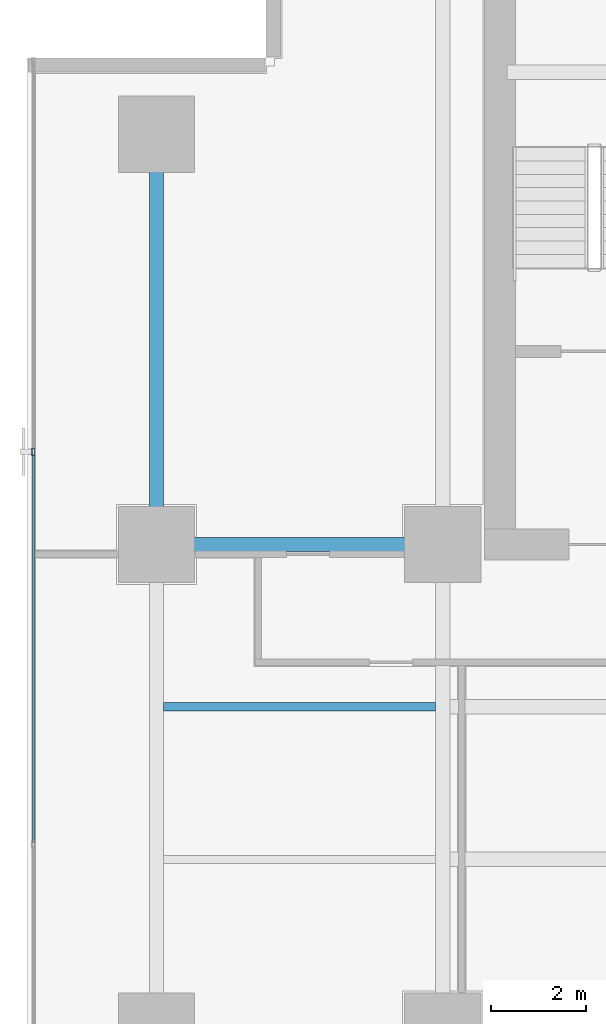
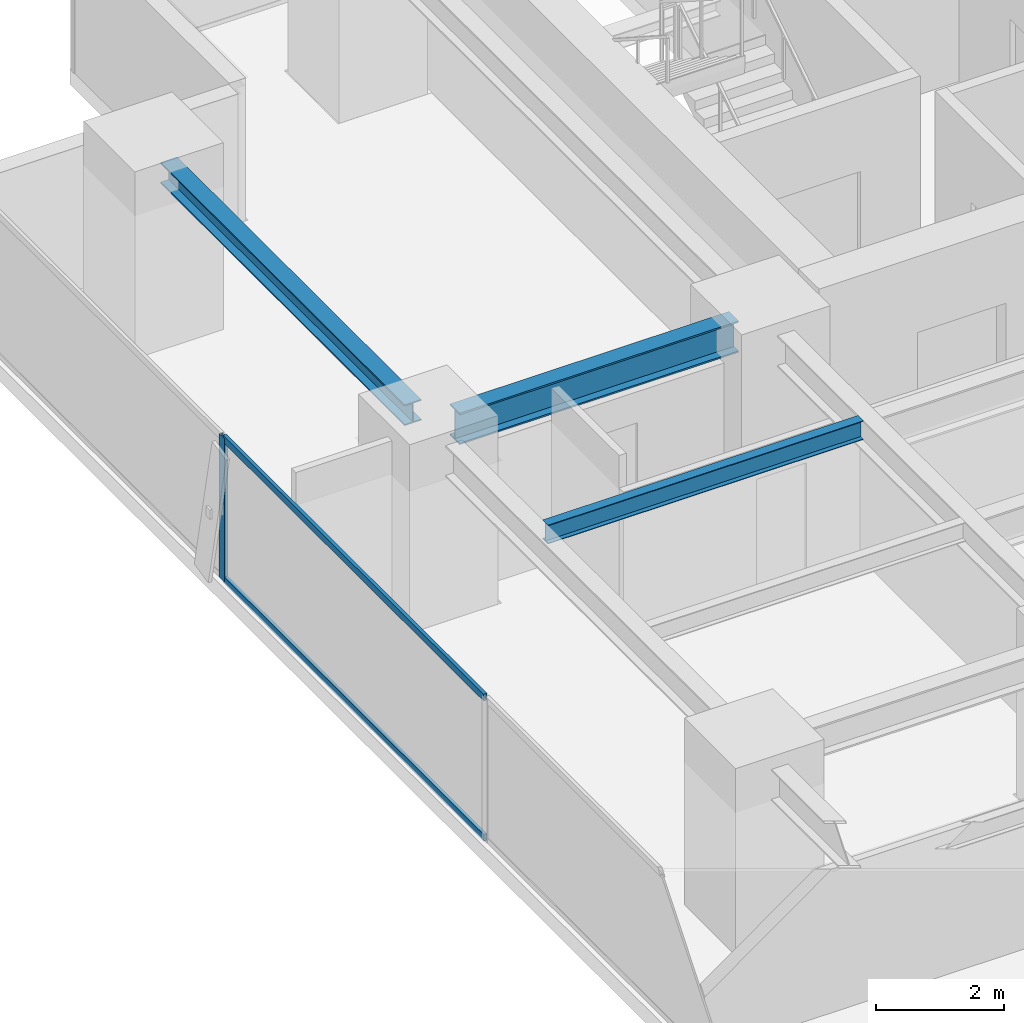
# One storey, part 17 of 36: 3 beams, 3 members, 1 element without a shape of its own.
"""IFC4 building model written with IfcOpenShell, lengths in metres."""

import ifcopenshell
import ifcopenshell.guid

model = None  # the IFC model being written
_history = None  # IfcOwnerHistory: only IFC2X3 demands one
_inside = {}  # id of a spatial element -> (the spatial element, [elements in it])
_under = {}  # id of a project, library or spatial element -> (it, [spatial elements below it])
_declared = {}  # id of a project -> (the project, [libraries it declares])
_typed = {}  # id of a type object -> (the type object, [elements of that type])
_made_of = {}  # id of a material, layer set ... -> (it, [elements and type objects made of it])


def new_model(schema):
    """Start an empty IFC model of exactly this schema.

    Asked for "IFC4X3", IfcOpenShell would pick the latest addendum, in which some entities
    have other attributes; the version numbers below select the first issue.
    IFC2X3 requires an IfcOwnerHistory on every rooted entity: one is made here for all.
    """
    global model, _history
    if schema == "IFC4X3":
        model = ifcopenshell.file(schema_version=(4, 3, 0, 0))
    else:
        model = ifcopenshell.file(schema=schema)
    _inside.clear()
    _under.clear()
    _declared.clear()
    _typed.clear()
    _made_of.clear()
    _history = None
    if model.schema == "IFC2X3":
        org = make("IfcOrganization", Name="unknown")
        user = make(
            "IfcPersonAndOrganization",
            ThePerson=make("IfcPerson", FamilyName="unknown"),
            TheOrganization=org,
        )
        app = make(
            "IfcApplication",
            ApplicationDeveloper=org,
            Version="unknown",
            ApplicationFullName="unknown",
            ApplicationIdentifier="unknown",
        )
        _history = make(
            "IfcOwnerHistory",
            OwningUser=user,
            OwningApplication=app,
            ChangeAction="ADDED",
            CreationDate=0,
        )
    return model


def make(cls, **values):
    """One entity of the class cls with the attributes given. An attribute that is None is left unset."""
    return model.create_entity(
        cls, **{name: value for name, value in values.items() if value is not None}
    )


def rooted(cls, **values):
    """An entity with a GlobalId (a new one), such as an element, a storey or a relation."""
    return make(cls, GlobalId=ifcopenshell.guid.new(), OwnerHistory=_history, **values)


def si_unit(unit_type, name, prefix=None):
    """IfcSIUnit, for example si_unit("LENGTHUNIT", "METRE", prefix="MILLI")."""
    return make("IfcSIUnit", UnitType=unit_type, Prefix=prefix, Name=name)


def assignment(units):
    """IfcUnitAssignment: the units of a project."""
    return None if units is None else make("IfcUnitAssignment", Units=units)


def point(xyz):
    """IfcCartesianPoint."""
    return None if xyz is None else make("IfcCartesianPoint", Coordinates=xyz)


def direction(xyz):
    """IfcDirection."""
    return None if xyz is None else make("IfcDirection", DirectionRatios=xyz)


def frame(location, z_axis=None, x_axis=None):
    """IfcAxis2Placement3D, a coordinate frame: its origin and axes. An axis left out is left unset."""
    return make(
        "IfcAxis2Placement3D",
        Location=point(location),
        Axis=direction(z_axis),
        RefDirection=direction(x_axis),
    )


def frame_2d(location, x_axis=None):
    """IfcAxis2Placement2D, a coordinate frame in the plane: its origin and x axis."""
    return make(
        "IfcAxis2Placement2D", Location=point(location), RefDirection=direction(x_axis)
    )


def origin():
    """The frame at (0, 0, 0) with its axes left unset."""
    return frame((0.0, 0.0, 0.0))


def origin_2d():
    """The frame at (0, 0) in the plane with its x axis left unset."""
    return frame_2d((0.0, 0.0))


def place(relative_to, where):
    """IfcLocalPlacement: puts the frame where relative to a parent placement (None: the world)."""
    return make(
        "IfcLocalPlacement", PlacementRelTo=relative_to, RelativePlacement=where
    )


def context(
    kind, dimensions, precision=None, world=None, true_north=None, identifier=None
):
    """IfcGeometricRepresentationContext, for example the 3D "Model" context."""
    return make(
        "IfcGeometricRepresentationContext",
        ContextIdentifier=identifier,
        ContextType=kind,
        CoordinateSpaceDimension=dimensions,
        Precision=precision,
        WorldCoordinateSystem=world,
        TrueNorth=true_north,
    )


def subcontext(parent, identifier, kind, view, scale=None):
    """IfcGeometricRepresentationSubContext, for example "Body" below "Model"."""
    return make(
        "IfcGeometricRepresentationSubContext",
        ContextIdentifier=identifier,
        ContextType=kind,
        ParentContext=parent,
        TargetScale=scale,
        TargetView=view,
    )


def project(units=None, contexts=None):
    """IfcProject with its units and contexts."""
    return rooted(
        "IfcProject",
        Name="project",
        RepresentationContexts=contexts,
        UnitsInContext=assignment(units),
    )


def spatial(cls, under=None, at=None, **own):
    """A site, building, storey or space (cls), placed at a placement, below another one or the project."""
    s = rooted(cls, ObjectPlacement=at, **own)
    if under is not None:
        _under.setdefault(under.id(), (under, []))[1].append(s)
    return s


def profile(cls, at=None, kind="AREA", **sizes):
    """A parametric profile (cls). Its sizes go by their IFC names, for example OverallWidth=200.0."""
    return make(cls, ProfileType=kind, Position=at, **sizes)


def hollow_rectangle(**sizes):
    """IfcRectangleHollowProfileDef."""
    return profile("IfcRectangleHollowProfileDef", **sizes)


def i_section(**sizes):
    """IfcIShapeProfileDef."""
    return profile("IfcIShapeProfileDef", **sizes)


def extrude(swept, where, along, depth):
    """IfcExtrudedAreaSolid: the profile swept, set in the frame where, extruded along a direction by depth."""
    return make(
        "IfcExtrudedAreaSolid",
        SweptArea=swept,
        Position=where,
        ExtrudedDirection=direction(along),
        Depth=depth,
    )


def shape(context_of_items, identifier, shape_type, items):
    """IfcShapeRepresentation: the items that make up one representation, for example the "Body"."""
    return make(
        "IfcShapeRepresentation",
        ContextOfItems=context_of_items,
        RepresentationIdentifier=identifier,
        RepresentationType=shape_type,
        Items=items,
    )


def source(mapping_origin, context_of_items, identifier, shape_type, items):
    """IfcRepresentationMap: a shape defined once, which mapped items show again and again."""
    return make(
        "IfcRepresentationMap",
        MappingOrigin=mapping_origin,
        MappedRepresentation=shape(context_of_items, identifier, shape_type, items),
    )


def transform(
    local_origin,
    x_axis=None,
    y_axis=None,
    z_axis=None,
    scale=None,
    scale2=None,
    scale3=None,
    uniform=True,
):
    """IfcCartesianTransformationOperator3D, or its non-uniform kind. x_axis, y_axis, z_axis: its Axis1, 2, 3."""
    if uniform:
        return make(
            "IfcCartesianTransformationOperator3D",
            Axis1=direction(x_axis),
            Axis2=direction(y_axis),
            LocalOrigin=point(local_origin),
            Scale=scale,
            Axis3=direction(z_axis),
        )
    return make(
        "IfcCartesianTransformationOperator3DnonUniform",
        Axis1=direction(x_axis),
        Axis2=direction(y_axis),
        LocalOrigin=point(local_origin),
        Scale=scale,
        Axis3=direction(z_axis),
        Scale2=scale2,
        Scale3=scale3,
    )


def mapped(mapping_source, mapping_target):
    """IfcMappedItem: shows the shape of a source again, moved by a transform."""
    return make(
        "IfcMappedItem", MappingSource=mapping_source, MappingTarget=mapping_target
    )


def material(Name=None, Category=None):
    """IfcMaterial."""
    return make("IfcMaterial", Name=Name, Category=Category)


def layer(
    of_material, thickness, ventilated=None, Name=None, Category=None, Priority=None
):
    """IfcMaterialLayer: one layer of a wall or slab, of a material (None: an air gap)."""
    return make(
        "IfcMaterialLayer",
        Material=of_material,
        LayerThickness=thickness,
        IsVentilated=ventilated,
        Name=Name,
        Category=Category,
        Priority=Priority,
    )


def layer_set(layers, Name=None):
    """IfcMaterialLayerSet."""
    return make("IfcMaterialLayerSet", MaterialLayers=layers, LayerSetName=Name)


def material_profile(
    of_material, cross_section, Name=None, Category=None, Priority=None
):
    """IfcMaterialProfile: a cross section and its material."""
    return make(
        "IfcMaterialProfile",
        Name=Name,
        Material=of_material,
        Profile=cross_section,
        Priority=Priority,
        Category=Category,
    )


def profile_set(profiles, Name=None, composite=None):
    """IfcMaterialProfileSet."""
    return make(
        "IfcMaterialProfileSet",
        Name=Name,
        MaterialProfiles=profiles,
        CompositeProfile=composite,
    )


def made_of(thing, what):
    """Note that an element or type object is made of a material, layer set ...; save() writes the relation."""
    if what is not None:
        _made_of.setdefault(what.id(), (what, []))[1].append(thing)
    return thing


def type_object(cls, material=None, **own):
    """A type object (cls), such as IfcWallType, which elements share."""
    return made_of(rooted(cls, **own), material)


def element(
    cls,
    number,
    at=None,
    inside=None,
    cuts=None,
    type_object=None,
    material=None,
    context=None,
    identifier="Body",
    shape_type=None,
    held_by="IfcProductDefinitionShape",
    body=None,
    shapes=None,
    **own,
):
    """One element of the class cls, such as IfcWall. Its Tag is "e" and its number.

    at: its placement. inside: the storey or other place that contains it. cuts: it is an
    opening in that element (IfcRelVoidsElement). A single representation is given by context,
    identifier, shape_type and body (its items); several are given by shapes. held_by: the class
    of the entity that holds the representations. save() writes the other relations.
    """
    e = rooted(cls, Tag="e%d" % number, ObjectPlacement=at, **own)
    if body is not None:
        shapes = [shape(context, identifier, shape_type, body)]
    if shapes is not None:
        e.Representation = make(held_by, Representations=shapes)
    if inside is not None:
        _inside.setdefault(inside.id(), (inside, []))[1].append(e)
    if cuts is not None:
        rooted(
            "IfcRelVoidsElement", RelatingBuildingElement=cuts, RelatedOpeningElement=e
        )
    if type_object is not None:
        _typed.setdefault(type_object.id(), (type_object, []))[1].append(e)
    return made_of(e, material)


def aggregate(whole, parts):
    """IfcRelAggregates: a whole, such as a stair, and the parts it consists of."""
    return rooted("IfcRelAggregates", RelatingObject=whole, RelatedObjects=parts)


def save(model, path):
    """Write the relations noted so far, then the file.

    IfcRelAggregates (storeys below a building ...), IfcRelContainedInSpatialStructure (elements
    in a storey), IfcRelDefinesByType, IfcRelAssociatesMaterial and IfcRelDeclares: one each for
    every whole, place, type object, material and project.
    """
    for whole, parts in _under.values():
        aggregate(whole, parts)
    for where, things in _inside.values():
        rooted(
            "IfcRelContainedInSpatialStructure",
            RelatedElements=things,
            RelatingStructure=where,
        )
    for kind, things in _typed.values():
        rooted("IfcRelDefinesByType", RelatedObjects=things, RelatingType=kind)
    for what, things in _made_of.values():
        rooted("IfcRelAssociatesMaterial", RelatedObjects=things, RelatingMaterial=what)
    for by, libraries in _declared.values():
        rooted("IfcRelDeclares", RelatingContext=by, RelatedDefinitions=libraries)
    model.write(path)


model = new_model("IFC4")

# Units and contexts
model_context = context("Model", 3, precision=1e-05, world=origin(), true_north=direction((0.0, 1.0)))
body_context = subcontext(model_context, "Body", "Model", "MODEL_VIEW")
ifc_project = project(units=[si_unit("LENGTHUNIT", "METRE"), si_unit("AREAUNIT", "SQUARE_METRE"), si_unit("VOLUMEUNIT", "CUBIC_METRE"), si_unit("PLANEANGLEUNIT", "RADIAN"), si_unit("MASSUNIT", "GRAM", prefix="KILO")], contexts=[model_context])

# Site, building, storey
site_placement = place(None, origin())
site = spatial("IfcSite", under=ifc_project, at=site_placement, CompositionType="ELEMENT")
building_placement = place(site_placement, origin())
building = spatial("IfcBuilding", under=site, at=building_placement, Name="Sumidabori Civic Tower", CompositionType="ELEMENT")
storey_placement = place(building_placement, frame((0.0, 0.0, 77.60009765625)))
storey = spatial("IfcBuildingStorey", under=building, at=storey_placement, Name="L19", CompositionType="ELEMENT", Elevation=77.60009765625)

# Beams
ifc_material_1 = material(Name="Steel SN490", Category="steel")
ifc_material_profile_1 = material_profile(ifc_material_1, i_section(OverallWidth=0.300048828125, OverallDepth=0.60009765625, WebThickness=0.015380859375, FlangeThickness=0.030029296875, at=origin_2d()), Name="HE 600 B")
ifc_profile_set_1 = profile_set([ifc_material_profile_1], Name="Steel SN490")
beam_type_1 = type_object("IfcBeamType", Name="BM-GIRD-600", PredefinedType="BEAM", material=ifc_profile_set_1)
shared_shape_1 = source(origin(), body_context, "Body", "SweptSolid", [
    extrude(i_section(OverallWidth=0.300048828125, OverallDepth=0.60009765625, WebThickness=0.015380859375, FlangeThickness=0.030029296875, at=origin_2d()), origin(), (0.0, 0.0, 1.0), 5.0400390625),
])
beam_1_placement = place(storey_placement, frame((-22.320068359375, 10.199951171875, 3.059814453125), z_axis=(1.0, 0.0, 0.0), x_axis=(0.0, 1.0, 0.0)))
element("IfcBeam", 1, at=beam_1_placement, inside=storey, type_object=beam_type_1, Name="Primary Girder L19 GX-19", PredefinedType="BEAM", context=body_context, shape_type="MappedRepresentation", body=[
    mapped(shared_shape_1, transform((0.0, 0.0, 0.0), x_axis=(1.0, 0.0, 0.0), y_axis=(0.0, 1.0, 0.0), z_axis=(0.0, 0.0, 1.0), scale=1.0)),
])
ifc_material_profile_2 = material_profile(ifc_material_1, i_section(OverallWidth=0.300048828125, OverallDepth=0.39990234375, WebThickness=0.013427734375, FlangeThickness=0.02392578125, at=origin_2d()), Name="HE 400 B")
ifc_profile_set_2 = profile_set([ifc_material_profile_2], Name="Steel SN490")
beam_type_2 = type_object("IfcBeamType", Name="BM-GIRD-400", PredefinedType="BEAM", material=ifc_profile_set_2)
shared_shape_2 = source(origin(), body_context, "Body", "SweptSolid", [
    extrude(i_section(OverallWidth=0.300048828125, OverallDepth=0.39990234375, WebThickness=0.013427734375, FlangeThickness=0.02392578125, at=origin_2d()), origin(), (0.0, 0.0, 1.0), 7.64013671875),
])
beam_2_placement = place(storey_placement, frame((-22.800048828125, 10.679931640625, 3.159912109375), z_axis=(0.0, 1.0, 0.0), x_axis=(-1.0, 0.0, 0.0)))
element("IfcBeam", 2, at=beam_2_placement, inside=storey, type_object=beam_type_2, Name="Primary Girder L19 GY-24", PredefinedType="BEAM", context=body_context, shape_type="MappedRepresentation", body=[
    mapped(shared_shape_2, transform((0.0, 0.0, 0.0), x_axis=(1.0, 0.0, 0.0), y_axis=(0.0, 1.0, 0.0), z_axis=(0.0, 0.0, 1.0), scale=1.0)),
])
ifc_material_profile_3 = material_profile(ifc_material_1, i_section(OverallWidth=0.169921875, OverallDepth=0.360107421875, WebThickness=0.008056640625, FlangeThickness=0.0126953125, at=origin_2d()), Name="IPE 360")
ifc_profile_set_3 = profile_set([ifc_material_profile_3], Name="Steel SN490")
beam_type_3 = type_object("IfcBeamType", Name="BM-JST-360", PredefinedType="JOIST", material=ifc_profile_set_3)
shared_shape_3 = source(origin(), body_context, "Body", "SweptSolid", [
    extrude(i_section(OverallWidth=0.169921875, OverallDepth=0.360107421875, WebThickness=0.008056640625, FlangeThickness=0.0126953125, at=origin_2d()), origin(), (0.0, 0.0, 1.0), 5.699951171875),
])
beam_3_placement = place(storey_placement, frame((-22.64990234375, 6.800048828125, 3.179931640625), z_axis=(1.0, 0.0, 0.0), x_axis=(0.0, 1.0, 0.0)))
element("IfcBeam", 3, at=beam_3_placement, inside=storey, type_object=beam_type_3, Name="Outer Bay Floor Joist L19 JSTO-49", PredefinedType="JOIST", context=body_context, shape_type="MappedRepresentation", body=[
    mapped(shared_shape_3, transform((0.0, 0.0, 0.0), x_axis=(1.0, 0.0, 0.0), y_axis=(0.0, 1.0, 0.0), z_axis=(0.0, 0.0, 1.0), scale=1.0)),
])

# Curtain wall, members
ifc_material_2 = material(Name="Anodised Bronze Aluminium AW-6063-T6", Category="aluminium")
ifc_layer = layer(ifc_material_2, 0.179931640625, Name="Anodised Bronze Aluminium AW-6063-T6")
ifc_layer_set = layer_set([ifc_layer], Name="Anodised Bronze Aluminium AW-6063-T6")
curtain_wall_type = type_object("IfcCurtainWallType", Name="CW-SYS-3", PredefinedType="NOTDEFINED", material=ifc_layer_set)
curtain_wall_placement = place(storey_placement, origin())
curtain_wall = element("IfcCurtainWall", 4, at=curtain_wall_placement, inside=storey, type_object=curtain_wall_type, Name="Curtain Wall CW:L19:R10", PredefinedType="NOTDEFINED")
ifc_material_profile_4 = material_profile(ifc_material_2, hollow_rectangle(XDim=0.06494140625, YDim=0.159912109375, WallThickness=0.0048828125, at=origin_2d()), Name="ALU MULLION 160x65")
ifc_profile_set_4 = profile_set([ifc_material_profile_4], Name="Anodised Bronze Aluminium AW-6063-T6")
member_type_1 = type_object("IfcMemberType", Name="CW-MUL-160", PredefinedType="MULLION", material=ifc_profile_set_4)
shared_shape_4 = source(origin(), body_context, "Body", "SweptSolid", [
    extrude(hollow_rectangle(XDim=0.06494140625, YDim=0.159912109375, WallThickness=0.0048828125, at=origin_2d()), origin(), (0.0, 0.0, 1.0), 2.739990234375),
])
member_1_placement = place(storey_placement, frame((-25.3798828125, 12.14208984375, 0.0), z_axis=(0.0, 0.0, 1.0), x_axis=(1.0, 0.0, 0.0)))
member_1 = element("IfcMember", 5, at=member_1_placement, type_object=member_type_1, Name="CW-3 mullion 2", PredefinedType="MULLION", context=body_context, shape_type="MappedRepresentation", body=[
    mapped(shared_shape_4, transform((0.0, 0.0, 0.0), x_axis=(1.0, 0.0, 0.0), y_axis=(0.0, 1.0, 0.0), z_axis=(0.0, 0.0, 1.0), scale=1.0)),
])
ifc_material_profile_5 = material_profile(ifc_material_2, hollow_rectangle(XDim=0.06005859375, YDim=0.1298828125, WallThickness=0.0048828125, at=origin_2d()), Name="ALU TRANSOM 130x60")
ifc_profile_set_5 = profile_set([ifc_material_profile_5], Name="Anodised Bronze Aluminium AW-6063-T6")
member_type_2 = type_object("IfcMemberType", Name="CW-TRN-130", PredefinedType="USERDEFINED", material=ifc_profile_set_5)
shared_shape_5 = source(origin(), body_context, "Body", "SweptSolid", [
    extrude(hollow_rectangle(XDim=0.06005859375, YDim=0.1298828125, WallThickness=0.0048828125, at=origin_2d()), origin(), (0.0, 0.0, 1.0), 8.1630859375),
])
member_2_placement = place(storey_placement, frame((-25.3798828125, 12.109619140625, 0.02978515625), z_axis=(0.0, -1.0, 0.0), x_axis=(1.0, 0.0, 0.0)))
member_2 = element("IfcMember", 6, at=member_2_placement, type_object=member_type_2, Name="CW-3 transom 2.1", ObjectType="TRANSOM", PredefinedType="USERDEFINED", context=body_context, shape_type="MappedRepresentation", body=[
    mapped(shared_shape_5, transform((0.0, 0.0, 0.0), x_axis=(1.0, 0.0, 0.0), y_axis=(0.0, 1.0, 0.0), z_axis=(0.0, 0.0, 1.0), scale=1.0)),
])
member_3_placement = place(storey_placement, frame((-25.3798828125, 12.109619140625, 2.7099609375), z_axis=(0.0, -1.0, 0.0), x_axis=(1.0, 0.0, 0.0)))
member_3 = element("IfcMember", 7, at=member_3_placement, type_object=member_type_2, Name="CW-3 transom 2.2", ObjectType="TRANSOM", PredefinedType="USERDEFINED", context=body_context, shape_type="MappedRepresentation", body=[
    mapped(shared_shape_5, transform((0.0, 0.0, 0.0), x_axis=(1.0, 0.0, 0.0), y_axis=(0.0, 1.0, 0.0), z_axis=(0.0, 0.0, 1.0), scale=1.0)),
])
aggregate(curtain_wall, [member_1, member_2, member_3])

save(model, "model.ifc")
